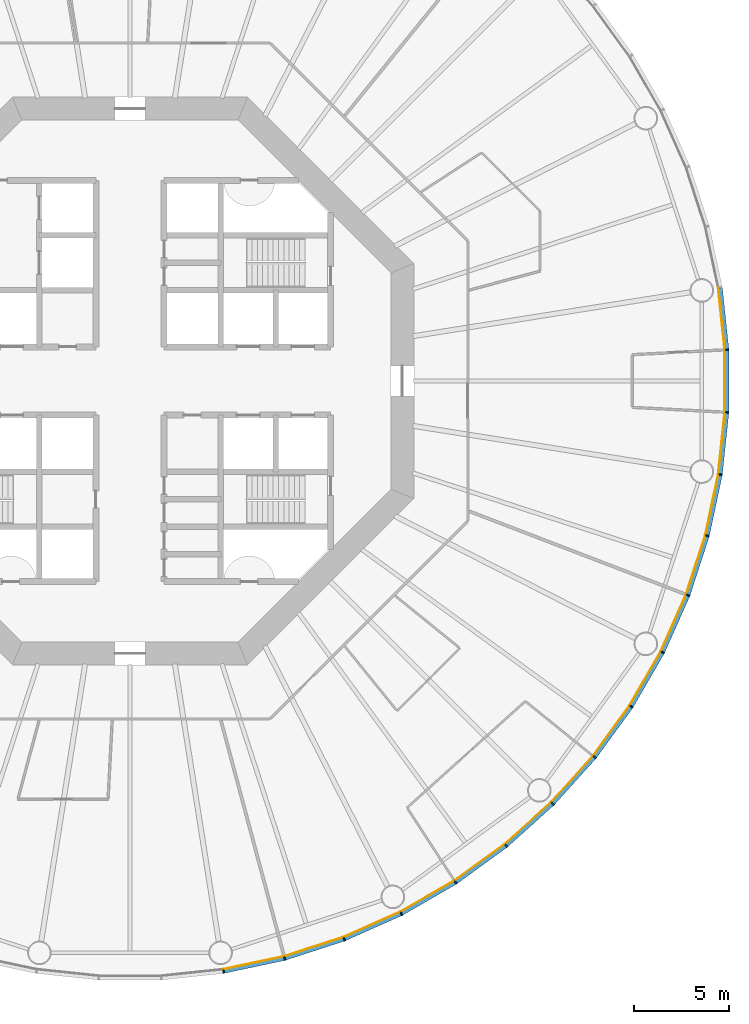
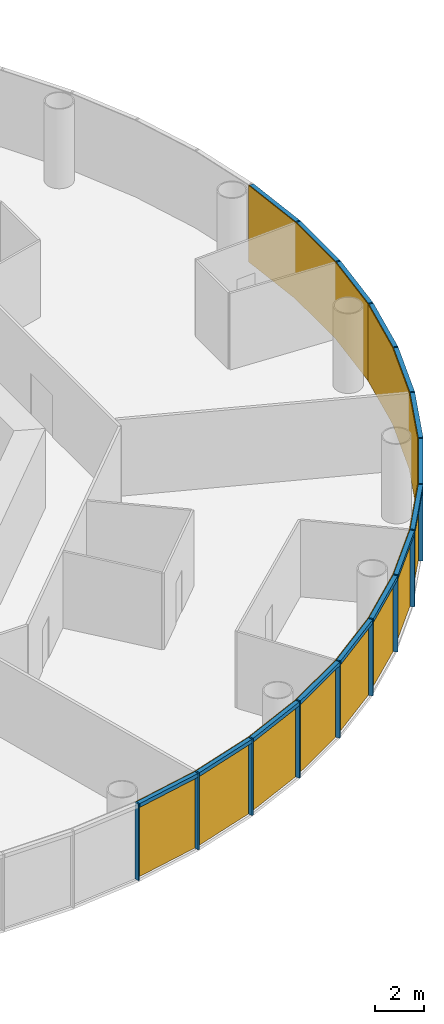
# One storey, part 9 of 13: 30 members, 5 curtain walls.
"""IFC4 building model written with IfcOpenShell, lengths in metres."""

import ifcopenshell
import ifcopenshell.guid

model = None  # the IFC model being written
_history = None  # IfcOwnerHistory: only IFC2X3 demands one
_inside = {}  # id of a spatial element -> (the spatial element, [elements in it])
_under = {}  # id of a project, library or spatial element -> (it, [spatial elements below it])
_declared = {}  # id of a project -> (the project, [libraries it declares])
_typed = {}  # id of a type object -> (the type object, [elements of that type])
_made_of = {}  # id of a material, layer set ... -> (it, [elements and type objects made of it])


def new_model(schema):
    """Start an empty IFC model of exactly this schema.

    Asked for "IFC4X3", IfcOpenShell would pick the latest addendum, in which some entities
    have other attributes; the version numbers below select the first issue.
    IFC2X3 requires an IfcOwnerHistory on every rooted entity: one is made here for all.
    """
    global model, _history
    if schema == "IFC4X3":
        model = ifcopenshell.file(schema_version=(4, 3, 0, 0))
    else:
        model = ifcopenshell.file(schema=schema)
    _inside.clear()
    _under.clear()
    _declared.clear()
    _typed.clear()
    _made_of.clear()
    _history = None
    if model.schema == "IFC2X3":
        org = make("IfcOrganization", Name="unknown")
        user = make(
            "IfcPersonAndOrganization",
            ThePerson=make("IfcPerson", FamilyName="unknown"),
            TheOrganization=org,
        )
        app = make(
            "IfcApplication",
            ApplicationDeveloper=org,
            Version="unknown",
            ApplicationFullName="unknown",
            ApplicationIdentifier="unknown",
        )
        _history = make(
            "IfcOwnerHistory",
            OwningUser=user,
            OwningApplication=app,
            ChangeAction="ADDED",
            CreationDate=0,
        )
    return model


def make(cls, **values):
    """One entity of the class cls with the attributes given. An attribute that is None is left unset."""
    return model.create_entity(
        cls, **{name: value for name, value in values.items() if value is not None}
    )


def rooted(cls, **values):
    """An entity with a GlobalId (a new one), such as an element, a storey or a relation."""
    return make(cls, GlobalId=ifcopenshell.guid.new(), OwnerHistory=_history, **values)


def si_unit(unit_type, name, prefix=None):
    """IfcSIUnit, for example si_unit("LENGTHUNIT", "METRE", prefix="MILLI")."""
    return make("IfcSIUnit", UnitType=unit_type, Prefix=prefix, Name=name)


def assignment(units):
    """IfcUnitAssignment: the units of a project."""
    return None if units is None else make("IfcUnitAssignment", Units=units)


def point(xyz):
    """IfcCartesianPoint."""
    return None if xyz is None else make("IfcCartesianPoint", Coordinates=xyz)


def direction(xyz):
    """IfcDirection."""
    return None if xyz is None else make("IfcDirection", DirectionRatios=xyz)


def frame(location, z_axis=None, x_axis=None):
    """IfcAxis2Placement3D, a coordinate frame: its origin and axes. An axis left out is left unset."""
    return make(
        "IfcAxis2Placement3D",
        Location=point(location),
        Axis=direction(z_axis),
        RefDirection=direction(x_axis),
    )


def frame_2d(location, x_axis=None):
    """IfcAxis2Placement2D, a coordinate frame in the plane: its origin and x axis."""
    return make(
        "IfcAxis2Placement2D", Location=point(location), RefDirection=direction(x_axis)
    )


def origin():
    """The frame at (0, 0, 0) with its axes left unset."""
    return frame((0.0, 0.0, 0.0))


def origin_2d():
    """The frame at (0, 0) in the plane with its x axis left unset."""
    return frame_2d((0.0, 0.0))


def place(relative_to, where):
    """IfcLocalPlacement: puts the frame where relative to a parent placement (None: the world)."""
    return make(
        "IfcLocalPlacement", PlacementRelTo=relative_to, RelativePlacement=where
    )


def context(
    kind, dimensions, precision=None, world=None, true_north=None, identifier=None
):
    """IfcGeometricRepresentationContext, for example the 3D "Model" context."""
    return make(
        "IfcGeometricRepresentationContext",
        ContextIdentifier=identifier,
        ContextType=kind,
        CoordinateSpaceDimension=dimensions,
        Precision=precision,
        WorldCoordinateSystem=world,
        TrueNorth=true_north,
    )


def subcontext(parent, identifier, kind, view, scale=None):
    """IfcGeometricRepresentationSubContext, for example "Body" below "Model"."""
    return make(
        "IfcGeometricRepresentationSubContext",
        ContextIdentifier=identifier,
        ContextType=kind,
        ParentContext=parent,
        TargetScale=scale,
        TargetView=view,
    )


def project(units=None, contexts=None):
    """IfcProject with its units and contexts."""
    return rooted(
        "IfcProject",
        Name="project",
        RepresentationContexts=contexts,
        UnitsInContext=assignment(units),
    )


def spatial(cls, under=None, at=None, **own):
    """A site, building, storey or space (cls), placed at a placement, below another one or the project."""
    s = rooted(cls, ObjectPlacement=at, **own)
    if under is not None:
        _under.setdefault(under.id(), (under, []))[1].append(s)
    return s


def polyline(points):
    """IfcPolyline through the points."""
    return make("IfcPolyline", Points=[point(p) for p in points])


def profile(cls, at=None, kind="AREA", **sizes):
    """A parametric profile (cls). Its sizes go by their IFC names, for example OverallWidth=200.0."""
    return make(cls, ProfileType=kind, Position=at, **sizes)


def rectangle(**sizes):
    """IfcRectangleProfileDef."""
    return profile("IfcRectangleProfileDef", **sizes)


def outline(outer, holes=None, kind="AREA"):
    """IfcArbitraryClosedProfileDef: a profile drawn as a closed curve; with holes, ...WithVoids."""
    if holes is None:
        return make("IfcArbitraryClosedProfileDef", ProfileType=kind, OuterCurve=outer)
    return make(
        "IfcArbitraryProfileDefWithVoids",
        ProfileType=kind,
        OuterCurve=outer,
        InnerCurves=holes,
    )


def extrude(swept, where, along, depth):
    """IfcExtrudedAreaSolid: the profile swept, set in the frame where, extruded along a direction by depth."""
    return make(
        "IfcExtrudedAreaSolid",
        SweptArea=swept,
        Position=where,
        ExtrudedDirection=direction(along),
        Depth=depth,
    )


def shape(context_of_items, identifier, shape_type, items):
    """IfcShapeRepresentation: the items that make up one representation, for example the "Body"."""
    return make(
        "IfcShapeRepresentation",
        ContextOfItems=context_of_items,
        RepresentationIdentifier=identifier,
        RepresentationType=shape_type,
        Items=items,
    )


def material(Name=None, Category=None):
    """IfcMaterial."""
    return make("IfcMaterial", Name=Name, Category=Category)


def layer(
    of_material, thickness, ventilated=None, Name=None, Category=None, Priority=None
):
    """IfcMaterialLayer: one layer of a wall or slab, of a material (None: an air gap)."""
    return make(
        "IfcMaterialLayer",
        Material=of_material,
        LayerThickness=thickness,
        IsVentilated=ventilated,
        Name=Name,
        Category=Category,
        Priority=Priority,
    )


def layer_set(layers, Name=None):
    """IfcMaterialLayerSet."""
    return make("IfcMaterialLayerSet", MaterialLayers=layers, LayerSetName=Name)


def material_profile(
    of_material, cross_section, Name=None, Category=None, Priority=None
):
    """IfcMaterialProfile: a cross section and its material."""
    return make(
        "IfcMaterialProfile",
        Name=Name,
        Material=of_material,
        Profile=cross_section,
        Priority=Priority,
        Category=Category,
    )


def profile_set(profiles, Name=None, composite=None):
    """IfcMaterialProfileSet."""
    return make(
        "IfcMaterialProfileSet",
        Name=Name,
        MaterialProfiles=profiles,
        CompositeProfile=composite,
    )


def made_of(thing, what):
    """Note that an element or type object is made of a material, layer set ...; save() writes the relation."""
    if what is not None:
        _made_of.setdefault(what.id(), (what, []))[1].append(thing)
    return thing


def type_object(cls, material=None, **own):
    """A type object (cls), such as IfcWallType, which elements share."""
    return made_of(rooted(cls, **own), material)


def element(
    cls,
    number,
    at=None,
    inside=None,
    cuts=None,
    type_object=None,
    material=None,
    context=None,
    identifier="Body",
    shape_type=None,
    held_by="IfcProductDefinitionShape",
    body=None,
    shapes=None,
    **own,
):
    """One element of the class cls, such as IfcWall. Its Tag is "e" and its number.

    at: its placement. inside: the storey or other place that contains it. cuts: it is an
    opening in that element (IfcRelVoidsElement). A single representation is given by context,
    identifier, shape_type and body (its items); several are given by shapes. held_by: the class
    of the entity that holds the representations. save() writes the other relations.
    """
    e = rooted(cls, Tag="e%d" % number, ObjectPlacement=at, **own)
    if body is not None:
        shapes = [shape(context, identifier, shape_type, body)]
    if shapes is not None:
        e.Representation = make(held_by, Representations=shapes)
    if inside is not None:
        _inside.setdefault(inside.id(), (inside, []))[1].append(e)
    if cuts is not None:
        rooted(
            "IfcRelVoidsElement", RelatingBuildingElement=cuts, RelatedOpeningElement=e
        )
    if type_object is not None:
        _typed.setdefault(type_object.id(), (type_object, []))[1].append(e)
    return made_of(e, material)


def aggregate(whole, parts):
    """IfcRelAggregates: a whole, such as a stair, and the parts it consists of."""
    return rooted("IfcRelAggregates", RelatingObject=whole, RelatedObjects=parts)


def save(model, path):
    """Write the relations noted so far, then the file.

    IfcRelAggregates (storeys below a building ...), IfcRelContainedInSpatialStructure (elements
    in a storey), IfcRelDefinesByType, IfcRelAssociatesMaterial and IfcRelDeclares: one each for
    every whole, place, type object, material and project.
    """
    for whole, parts in _under.values():
        aggregate(whole, parts)
    for where, things in _inside.values():
        rooted(
            "IfcRelContainedInSpatialStructure",
            RelatedElements=things,
            RelatingStructure=where,
        )
    for kind, things in _typed.values():
        rooted("IfcRelDefinesByType", RelatedObjects=things, RelatingType=kind)
    for what, things in _made_of.values():
        rooted("IfcRelAssociatesMaterial", RelatedObjects=things, RelatingMaterial=what)
    for by, libraries in _declared.values():
        rooted("IfcRelDeclares", RelatingContext=by, RelatedDefinitions=libraries)
    model.write(path)


model = new_model("IFC4")

# Units and contexts
model_context = context("Model", 3, precision=1e-05, world=origin(), true_north=direction((0.0, 1.0)))
body_context = subcontext(model_context, "Body", "Model", "MODEL_VIEW")
ifc_project = project(units=[si_unit("LENGTHUNIT", "METRE"), si_unit("AREAUNIT", "SQUARE_METRE"), si_unit("VOLUMEUNIT", "CUBIC_METRE"), si_unit("PLANEANGLEUNIT", "RADIAN"), si_unit("MASSUNIT", "GRAM", prefix="KILO")], contexts=[model_context])

# Member
ifc_material_1 = material(Name="Anodised aluminium", Category="aluminium")
ifc_material_profile_1 = material_profile(ifc_material_1, rectangle(XDim=0.070068359375, YDim=0.199951171875, at=origin_2d()), Name="Mullion 70 x 200 mm anodised aluminium")
ifc_profile_set_1 = profile_set([ifc_material_profile_1], Name="Anodised aluminium")
member_type_1 = type_object("IfcMemberType", Name="Mullion 70 x 200 mm anodised aluminium", PredefinedType="MULLION", material=ifc_profile_set_1)
site_placement = place(None, origin())
building_placement = place(site_placement, origin())
storey_placement = place(building_placement, frame((0.0, 0.0, 124.0)))
member_1_placement = place(storey_placement, frame((94.943359375, 48.7890625, 0.0), z_axis=(0.0, 0.0, 1.0), x_axis=(0.987688340595, 0.15643446504, 0.0)))
member_1 = element("IfcMember", 1, at=member_1_placement, type_object=member_type_1, Name="MULLION L28-45", PredefinedType="MULLION", context=body_context, shape_type="SweptSolid", body=[
    extrude(rectangle(XDim=0.070068359375, YDim=0.199951171875, at=origin_2d()), origin(), (0.0, 0.0, 1.0), 3.85009765625),
])

member_2_placement = place(storey_placement, frame((98.1787109375, 49.476806640625, 0.0), z_axis=(0.0, 0.0, 1.0), x_axis=(0.965925826289, 0.258819045103, 0.0)))
member_2 = element("IfcMember", 2, at=member_2_placement, type_object=member_type_1, Name="MULLION L28-46", PredefinedType="MULLION", context=body_context, shape_type="SweptSolid", body=[
    extrude(rectangle(XDim=0.070068359375, YDim=0.199951171875, at=origin_2d()), origin(), (0.0, 0.0, 1.0), 3.85009765625),
])

member_3_placement = place(storey_placement, frame((101.324462890625, 50.498779296875, 0.0), z_axis=(0.0, 0.0, 1.0), x_axis=(0.933580426497, 0.358367949545, 0.0)))
member_3 = element("IfcMember", 3, at=member_3_placement, type_object=member_type_1, Name="MULLION L28-47", PredefinedType="MULLION", context=body_context, shape_type="SweptSolid", body=[
    extrude(rectangle(XDim=0.070068359375, YDim=0.199951171875, at=origin_2d()), origin(), (0.0, 0.0, 1.0), 3.85009765625),
])

member_4_placement = place(storey_placement, frame((104.34619140625, 51.84423828125, 0.0), z_axis=(0.0, 0.0, 1.0), x_axis=(0.891006524188, 0.45399049974, 0.0)))
member_4 = element("IfcMember", 4, at=member_4_placement, type_object=member_type_1, Name="MULLION L28-48", PredefinedType="MULLION", context=body_context, shape_type="SweptSolid", body=[
    extrude(rectangle(XDim=0.070068359375, YDim=0.199951171875, at=origin_2d()), origin(), (0.0, 0.0, 1.0), 3.85009765625),
])

member_5_placement = place(storey_placement, frame((107.210693359375, 53.498046875, 0.0), z_axis=(0.0, 0.0, 1.0), x_axis=(0.838670567945, 0.544639035015, 0.0)))
member_5 = element("IfcMember", 5, at=member_5_placement, type_object=member_type_1, Name="MULLION L28-49", PredefinedType="MULLION", context=body_context, shape_type="SweptSolid", body=[
    extrude(rectangle(XDim=0.070068359375, YDim=0.199951171875, at=origin_2d()), origin(), (0.0, 0.0, 1.0), 3.85009765625),
])

member_6_placement = place(storey_placement, frame((109.886474609375, 55.442138671875, 0.0), z_axis=(0.0, 0.0, 1.0), x_axis=(0.777145961457, 0.62932039105, 0.0)))
member_6 = element("IfcMember", 6, at=member_6_placement, type_object=member_type_1, Name="MULLION L28-50", PredefinedType="MULLION", context=body_context, shape_type="SweptSolid", body=[
    extrude(rectangle(XDim=0.070068359375, YDim=0.199951171875, at=origin_2d()), origin(), (0.0, 0.0, 1.0), 3.85009765625),
])

member_7_placement = place(storey_placement, frame((112.344482421875, 57.655517578125, 0.0), z_axis=(0.0, 0.0, 1.0), x_axis=(0.707106781187, 0.707106781187, 0.0)))
member_7 = element("IfcMember", 7, at=member_7_placement, type_object=member_type_1, Name="MULLION L28-51", PredefinedType="MULLION", context=body_context, shape_type="SweptSolid", body=[
    extrude(rectangle(XDim=0.070068359375, YDim=0.199951171875, at=origin_2d()), origin(), (0.0, 0.0, 1.0), 3.85009765625),
])

member_8_placement = place(storey_placement, frame((114.557861328125, 60.113525390625, 0.0), z_axis=(0.0, 0.0, 1.0), x_axis=(0.62932039105, 0.777145961457, 0.0)))
member_8 = element("IfcMember", 8, at=member_8_placement, type_object=member_type_1, Name="MULLION L28-52", PredefinedType="MULLION", context=body_context, shape_type="SweptSolid", body=[
    extrude(rectangle(XDim=0.070068359375, YDim=0.199951171875, at=origin_2d()), origin(), (0.0, 0.0, 1.0), 3.85009765625),
])

member_9_placement = place(storey_placement, frame((116.501953125, 62.789306640625, 0.0), z_axis=(0.0, 0.0, 1.0), x_axis=(0.544639035015, 0.838670567945, 0.0)))
member_9 = element("IfcMember", 9, at=member_9_placement, type_object=member_type_1, Name="MULLION L28-53", PredefinedType="MULLION", context=body_context, shape_type="SweptSolid", body=[
    extrude(rectangle(XDim=0.070068359375, YDim=0.199951171875, at=origin_2d()), origin(), (0.0, 0.0, 1.0), 3.85009765625),
])

member_10_placement = place(storey_placement, frame((118.15576171875, 65.65380859375, 0.0), z_axis=(0.0, 0.0, 1.0), x_axis=(0.45399049974, 0.891006524188, 0.0)))
member_10 = element("IfcMember", 10, at=member_10_placement, type_object=member_type_1, Name="MULLION L28-54", PredefinedType="MULLION", context=body_context, shape_type="SweptSolid", body=[
    extrude(rectangle(XDim=0.070068359375, YDim=0.199951171875, at=origin_2d()), origin(), (0.0, 0.0, 1.0), 3.85009765625),
])

member_11_placement = place(storey_placement, frame((119.501220703125, 68.675537109375, 0.0), z_axis=(0.0, 0.0, 1.0), x_axis=(0.358367949545, 0.933580426497, 0.0)))
member_11 = element("IfcMember", 11, at=member_11_placement, type_object=member_type_1, Name="MULLION L28-55", PredefinedType="MULLION", context=body_context, shape_type="SweptSolid", body=[
    extrude(rectangle(XDim=0.070068359375, YDim=0.199951171875, at=origin_2d()), origin(), (0.0, 0.0, 1.0), 3.85009765625),
])

member_12_placement = place(storey_placement, frame((120.523193359375, 71.8212890625, 0.0), z_axis=(0.0, 0.0, 1.0), x_axis=(0.258819045103, 0.965925826289, 0.0)))
member_12 = element("IfcMember", 12, at=member_12_placement, type_object=member_type_1, Name="MULLION L28-56", PredefinedType="MULLION", context=body_context, shape_type="SweptSolid", body=[
    extrude(rectangle(XDim=0.070068359375, YDim=0.199951171875, at=origin_2d()), origin(), (0.0, 0.0, 1.0), 3.85009765625),
])

member_13_placement = place(storey_placement, frame((121.2109375, 75.056640625, 0.0), z_axis=(0.0, 0.0, 1.0), x_axis=(0.15643446504, 0.987688340595, 0.0)))
member_13 = element("IfcMember", 13, at=member_13_placement, type_object=member_type_1, Name="MULLION L28-57", PredefinedType="MULLION", context=body_context, shape_type="SweptSolid", body=[
    extrude(rectangle(XDim=0.070068359375, YDim=0.199951171875, at=origin_2d()), origin(), (0.0, 0.0, 1.0), 3.85009765625),
])

member_14_placement = place(storey_placement, frame((121.556640625, 78.34619140625, 0.0), z_axis=(0.0, 0.0, 1.0), x_axis=(0.052335956243, 0.998629534755, 0.0)))
member_14 = element("IfcMember", 14, at=member_14_placement, type_object=member_type_1, Name="MULLION L28-58", PredefinedType="MULLION", context=body_context, shape_type="SweptSolid", body=[
    extrude(rectangle(XDim=0.070068359375, YDim=0.199951171875, at=origin_2d()), origin(), (0.0, 0.0, 1.0), 3.85009765625),
])

member_15_placement = place(storey_placement, frame((121.556640625, 81.65380859375, 0.0), z_axis=(0.0, 0.0, 1.0), x_axis=(-0.052335956243, 0.998629534755, 0.0)))
member_15 = element("IfcMember", 15, at=member_15_placement, type_object=member_type_1, Name="MULLION L28-59", PredefinedType="MULLION", context=body_context, shape_type="SweptSolid", body=[
    extrude(rectangle(XDim=0.070068359375, YDim=0.199951171875, at=origin_2d()), origin(), (0.0, 0.0, 1.0), 3.85009765625),
])

ifc_material_2 = material(Name="Anodised aluminium", Category="aluminium")
ifc_material_profile_2 = material_profile(ifc_material_2, rectangle(XDim=0.199951171875, YDim=0.18994140625, at=origin_2d()), Name="Transom 190 x 200 mm anodised aluminium")
ifc_profile_set_2 = profile_set([ifc_material_profile_2], Name="Anodised aluminium")
member_type_2 = type_object("IfcMemberType", Name="Transom 190 x 200 mm anodised aluminium", PredefinedType="USERDEFINED", material=ifc_profile_set_2)
member_16_placement = place(storey_placement, frame((94.982666015625, 48.79736328125, 3.7548828125), z_axis=(0.978153082647, 0.207885898771, 0.0), x_axis=(-0.207885898771, 0.978153082647, 0.0)))
member_16 = element("IfcMember", 16, at=member_16_placement, type_object=member_type_2, Name="TRANSOM L28-45", ObjectType="TRANSOM", PredefinedType="USERDEFINED", context=body_context, shape_type="SweptSolid", body=[
    extrude(rectangle(XDim=0.199951171875, YDim=0.18994140625, at=origin_2d()), origin(), (0.0, 0.0, 1.0), 3.227294921875),
])

member_17_placement = place(storey_placement, frame((98.217041015625, 49.489013671875, 3.7548828125), z_axis=(0.951046855117, 0.309046726844, 0.0), x_axis=(-0.309046726844, 0.951046855117, 0.0)))
member_17 = element("IfcMember", 17, at=member_17_placement, type_object=member_type_2, Name="TRANSOM L28-46", ObjectType="TRANSOM", PredefinedType="USERDEFINED", context=body_context, shape_type="SweptSolid", body=[
    extrude(rectangle(XDim=0.199951171875, YDim=0.18994140625, at=origin_2d()), origin(), (0.0, 0.0, 1.0), 3.22705078125),
])

member_18_placement = place(storey_placement, frame((101.361328125, 50.51513671875, 3.7548828125), z_axis=(0.913549291349, 0.406728032322, 0.0), x_axis=(-0.406728032322, 0.913549291349, 0.0)))
member_18 = element("IfcMember", 18, at=member_18_placement, type_object=member_type_2, Name="TRANSOM L28-47", ObjectType="TRANSOM", PredefinedType="USERDEFINED", context=body_context, shape_type="SweptSolid", body=[
    extrude(rectangle(XDim=0.199951171875, YDim=0.18994140625, at=origin_2d()), origin(), (0.0, 0.0, 1.0), 3.22705078125),
])

member_19_placement = place(storey_placement, frame((104.381103515625, 51.8642578125, 3.7548828125), z_axis=(0.866023062494, 0.500004055213, 0.0), x_axis=(-0.500004055213, 0.866023062494, 0.0)))
member_19 = element("IfcMember", 19, at=member_19_placement, type_object=member_type_2, Name="TRANSOM L28-48", ObjectType="TRANSOM", PredefinedType="USERDEFINED", context=body_context, shape_type="SweptSolid", body=[
    extrude(rectangle(XDim=0.199951171875, YDim=0.18994140625, at=origin_2d()), origin(), (0.0, 0.0, 1.0), 3.22705078125),
])

member_20_placement = place(storey_placement, frame((107.2431640625, 53.521484375, 3.7548828125), z_axis=(0.809004252048, 0.587802790201, 0.0), x_axis=(-0.587802790201, 0.809004252048, 0.0)))
member_20 = element("IfcMember", 20, at=member_20_placement, type_object=member_type_2, Name="TRANSOM L28-49", ObjectType="TRANSOM", PredefinedType="USERDEFINED", context=body_context, shape_type="SweptSolid", body=[
    extrude(rectangle(XDim=0.199951171875, YDim=0.18994140625, at=origin_2d()), origin(), (0.0, 0.0, 1.0), 3.227294921875),
])

member_21_placement = place(storey_placement, frame((109.91650390625, 55.468994140625, 3.7548828125), z_axis=(0.743132370743, 0.669144438484, 0.0), x_axis=(-0.669144438484, 0.743132370743, 0.0)))
member_21 = element("IfcMember", 21, at=member_21_placement, type_object=member_type_2, Name="TRANSOM L28-50", ObjectType="TRANSOM", PredefinedType="USERDEFINED", context=body_context, shape_type="SweptSolid", body=[
    extrude(rectangle(XDim=0.199951171875, YDim=0.18994140625, at=origin_2d()), origin(), (0.0, 0.0, 1.0), 3.22705078125),
])

member_22_placement = place(storey_placement, frame((112.37158203125, 57.685302734375, 3.7548828125), z_axis=(0.669144438484, 0.743132370743, 0.0), x_axis=(-0.743132370743, 0.669144438484, 0.0)))
member_22 = element("IfcMember", 22, at=member_22_placement, type_object=member_type_2, Name="TRANSOM L28-51", ObjectType="TRANSOM", PredefinedType="USERDEFINED", context=body_context, shape_type="SweptSolid", body=[
    extrude(rectangle(XDim=0.199951171875, YDim=0.18994140625, at=origin_2d()), origin(), (0.0, 0.0, 1.0), 3.22705078125),
])

member_23_placement = place(storey_placement, frame((114.58154296875, 60.14599609375, 3.7548828125), z_axis=(0.587802790201, 0.809004252048, 0.0), x_axis=(-0.809004252048, 0.587802790201, 0.0)))
member_23 = element("IfcMember", 23, at=member_23_placement, type_object=member_type_2, Name="TRANSOM L28-52", ObjectType="TRANSOM", PredefinedType="USERDEFINED", context=body_context, shape_type="SweptSolid", body=[
    extrude(rectangle(XDim=0.199951171875, YDim=0.18994140625, at=origin_2d()), origin(), (0.0, 0.0, 1.0), 3.227294921875),
])

member_24_placement = place(storey_placement, frame((116.522216796875, 62.82421875, 3.7548828125), z_axis=(0.500004055213, 0.866023062494, 0.0), x_axis=(-0.866023062494, 0.500004055213, 0.0)))
member_24 = element("IfcMember", 24, at=member_24_placement, type_object=member_type_2, Name="TRANSOM L28-53", ObjectType="TRANSOM", PredefinedType="USERDEFINED", context=body_context, shape_type="SweptSolid", body=[
    extrude(rectangle(XDim=0.199951171875, YDim=0.18994140625, at=origin_2d()), origin(), (0.0, 0.0, 1.0), 3.22705078125),
])

member_25_placement = place(storey_placement, frame((118.17236328125, 65.690673828125, 3.7548828125), z_axis=(0.406728032322, 0.913549291349, 0.0), x_axis=(-0.913549291349, 0.406728032322, 0.0)))
member_25 = element("IfcMember", 25, at=member_25_placement, type_object=member_type_2, Name="TRANSOM L28-54", ObjectType="TRANSOM", PredefinedType="USERDEFINED", context=body_context, shape_type="SweptSolid", body=[
    extrude(rectangle(XDim=0.199951171875, YDim=0.18994140625, at=origin_2d()), origin(), (0.0, 0.0, 1.0), 3.22705078125),
])

member_26_placement = place(storey_placement, frame((119.513671875, 68.7138671875, 3.7548828125), z_axis=(0.309046726844, 0.951046855117, 0.0), x_axis=(-0.951046855117, 0.309046726844, 0.0)))
member_26 = element("IfcMember", 26, at=member_26_placement, type_object=member_type_2, Name="TRANSOM L28-55", ObjectType="TRANSOM", PredefinedType="USERDEFINED", context=body_context, shape_type="SweptSolid", body=[
    extrude(rectangle(XDim=0.199951171875, YDim=0.18994140625, at=origin_2d()), origin(), (0.0, 0.0, 1.0), 3.22705078125),
])

member_27_placement = place(storey_placement, frame((120.53173828125, 71.860595703125, 3.7548828125), z_axis=(0.207885898771, 0.978153082647, 0.0), x_axis=(-0.978153082647, 0.207885898771, 0.0)))
member_27 = element("IfcMember", 27, at=member_27_placement, type_object=member_type_2, Name="TRANSOM L28-56", ObjectType="TRANSOM", PredefinedType="USERDEFINED", context=body_context, shape_type="SweptSolid", body=[
    extrude(rectangle(XDim=0.199951171875, YDim=0.18994140625, at=origin_2d()), origin(), (0.0, 0.0, 1.0), 3.227294921875),
])

member_28_placement = place(storey_placement, frame((121.21533203125, 75.0966796875, 3.7548828125), z_axis=(0.104550890115, 0.994519537956, 0.0), x_axis=(-0.994519537956, 0.104550890115, 0.0)))
member_28 = element("IfcMember", 28, at=member_28_placement, type_object=member_type_2, Name="TRANSOM L28-57", ObjectType="TRANSOM", PredefinedType="USERDEFINED", context=body_context, shape_type="SweptSolid", body=[
    extrude(rectangle(XDim=0.199951171875, YDim=0.18994140625, at=origin_2d()), origin(), (0.0, 0.0, 1.0), 3.22705078125),
])

member_29_placement = place(storey_placement, frame((121.556884765625, 78.386474609375, 3.7548828125), z_axis=(0.0, 1.0, 0.0), x_axis=(-1.0, 0.0, 0.0)))
member_29 = element("IfcMember", 29, at=member_29_placement, type_object=member_type_2, Name="TRANSOM L28-58", ObjectType="TRANSOM", PredefinedType="USERDEFINED", context=body_context, shape_type="SweptSolid", body=[
    extrude(rectangle(XDim=0.199951171875, YDim=0.18994140625, at=origin_2d()), origin(), (0.0, 0.0, 1.0), 3.22705078125),
])

member_30_placement = place(storey_placement, frame((121.552734375, 81.69384765625, 3.7548828125), z_axis=(-0.104550890115, 0.994519537956, 0.0), x_axis=(-0.994519537956, -0.104550890115, 0.0)))
member_30 = element("IfcMember", 30, at=member_30_placement, type_object=member_type_2, Name="TRANSOM L28-59", ObjectType="TRANSOM", PredefinedType="USERDEFINED", context=body_context, shape_type="SweptSolid", body=[
    extrude(rectangle(XDim=0.199951171875, YDim=0.18994140625, at=origin_2d()), origin(), (0.0, 0.0, 1.0), 3.22705078125),
])

# Site, building, storey
site = spatial("IfcSite", under=ifc_project, at=site_placement, CompositionType="ELEMENT")
building = spatial("IfcBuilding", under=site, at=building_placement, Name="Entoto Ring Tower", CompositionType="ELEMENT")
storey = spatial("IfcBuildingStorey", under=building, at=storey_placement, Name="L28", CompositionType="ELEMENT", Elevation=124.0)

# Curtain wall
ifc_material_3 = material(Name="Clear low-iron glass", Category="glass")
ifc_layer = layer(ifc_material_3, 0.035888671875)
ifc_layer_set = layer_set([ifc_layer], Name="Clear low-iron glass")
curtain_wall_type = type_object("IfcCurtainWallType", Name="Curtain wall system CW2 glazing 36 mm", PredefinedType="NOTDEFINED", material=ifc_layer_set)
curtain_wall_1_placement = place(storey_placement, origin())
curtain_wall_1 = element("IfcCurtainWall", 31, at=curtain_wall_1_placement, inside=storey, type_object=curtain_wall_type, Name="CW2 L28-16", PredefinedType="NOTDEFINED", context=body_context, shape_type="SweptSolid", body=[
    extrude(outline(polyline([(94.927734375, 48.8876953125), (98.15283203125, 49.5732421875), (101.28857421875, 50.59228515625), (104.30078125, 51.933349609375), (104.284423828125, 51.96533203125), (101.275634765625, 50.6259765625), (98.1435546875, 49.608154296875), (94.922119140625, 48.92333984375), (94.927734375, 48.8876953125)])), origin(), (0.0, 0.0, 1.0), 3.85009765625),
])

aggregate(curtain_wall_1, [member_1, member_2, member_3, member_16, member_17, member_18])

curtain_wall_2_placement = place(storey_placement, origin())
curtain_wall_2 = element("IfcCurtainWall", 32, at=curtain_wall_2_placement, inside=storey, type_object=curtain_wall_type, Name="CW2 L28-17", PredefinedType="NOTDEFINED", context=body_context, shape_type="SweptSolid", body=[
    extrude(outline(polyline([(104.30078125, 51.933349609375), (107.15625, 53.581787109375), (109.823486328125, 55.52001953125), (112.27392578125, 57.72607421875), (112.248291015625, 57.751708984375), (109.801025390625, 55.5478515625), (107.136474609375, 53.612060546875), (104.284423828125, 51.96533203125), (104.30078125, 51.933349609375)])), origin(), (0.0, 0.0, 1.0), 3.85009765625),
])

aggregate(curtain_wall_2, [member_4, member_5, member_6, member_19, member_20, member_21])

curtain_wall_3_placement = place(storey_placement, origin())
curtain_wall_3 = element("IfcCurtainWall", 33, at=curtain_wall_3_placement, inside=storey, type_object=curtain_wall_type, Name="CW2 L28-18", PredefinedType="NOTDEFINED", context=body_context, shape_type="SweptSolid", body=[
    extrude(outline(polyline([(112.27392578125, 57.72607421875), (114.47998046875, 60.176513671875), (116.418212890625, 62.84375), (118.066650390625, 65.69921875), (118.03466796875, 65.715576171875), (116.387939453125, 62.863525390625), (114.4521484375, 60.198974609375), (112.248291015625, 57.751708984375), (112.27392578125, 57.72607421875)])), origin(), (0.0, 0.0, 1.0), 3.85009765625),
])

aggregate(curtain_wall_3, [member_7, member_8, member_9, member_22, member_23, member_24])

curtain_wall_4_placement = place(storey_placement, origin())
curtain_wall_4 = element("IfcCurtainWall", 34, at=curtain_wall_4_placement, inside=storey, type_object=curtain_wall_type, Name="CW2 L28-19", PredefinedType="NOTDEFINED", context=body_context, shape_type="SweptSolid", body=[
    extrude(outline(polyline([(118.066650390625, 65.69921875), (119.40771484375, 68.71142578125), (120.4267578125, 71.84716796875), (121.1123046875, 75.072265625), (121.07666015625, 75.077880859375), (120.391845703125, 71.8564453125), (119.3740234375, 68.724365234375), (118.03466796875, 65.715576171875), (118.066650390625, 65.69921875)])), origin(), (0.0, 0.0, 1.0), 3.85009765625),
])

aggregate(curtain_wall_4, [member_10, member_11, member_12, member_25, member_26, member_27])

curtain_wall_5_placement = place(storey_placement, origin())
curtain_wall_5 = element("IfcCurtainWall", 35, at=curtain_wall_5_placement, inside=storey, type_object=curtain_wall_type, Name="CW2 L28-20", PredefinedType="NOTDEFINED", context=body_context, shape_type="SweptSolid", body=[
    extrude(outline(polyline([(121.1123046875, 75.072265625), (121.456787109375, 78.351318359375), (121.456787109375, 81.648681640625), (121.1123046875, 84.927734375), (121.07666015625, 84.922119140625), (121.4208984375, 81.646728515625), (121.4208984375, 78.353271484375), (121.07666015625, 75.077880859375), (121.1123046875, 75.072265625)])), origin(), (0.0, 0.0, 1.0), 3.85009765625),
])

aggregate(curtain_wall_5, [member_13, member_14, member_15, member_28, member_29, member_30])

save(model, "model.ifc")
